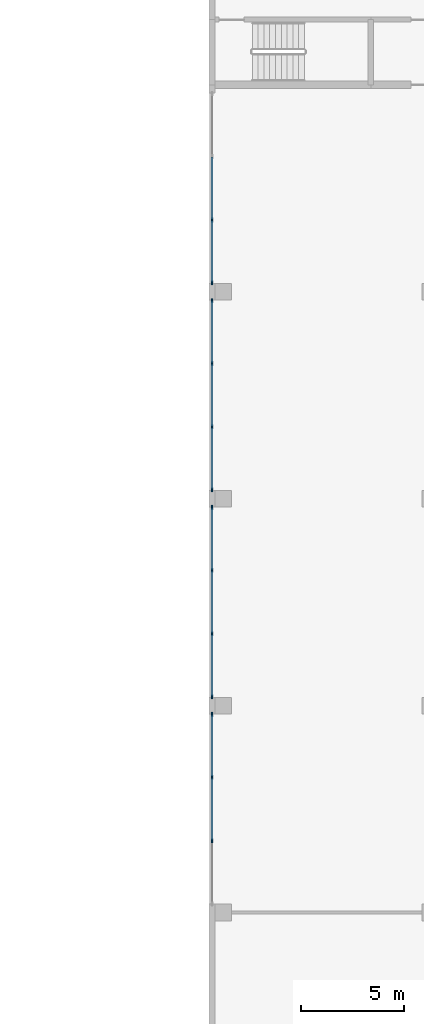
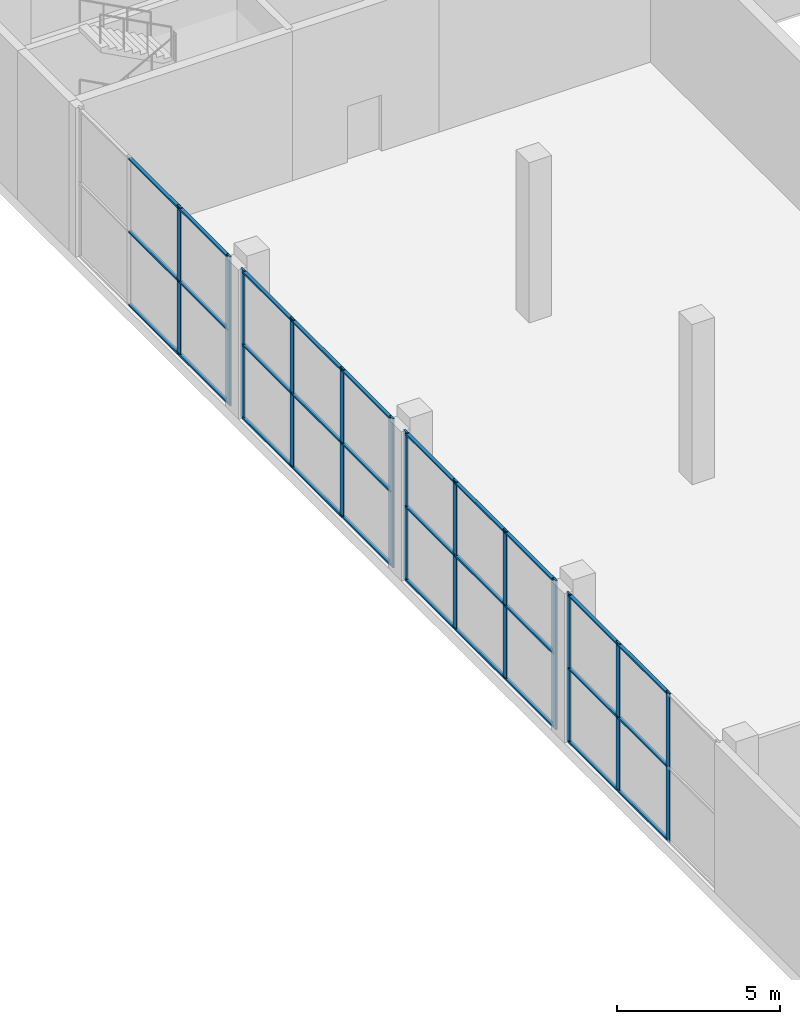
# One storey, part 11 of 51: 43 members, 4 elements without a shape of their own.
"""IFC4 building model written with IfcOpenShell, lengths in metres."""

from ifc_helpers import new_model, si_unit, direction, frame, origin, origin_2d, place, context, subcontext, project, spatial, rectangle, extrude, material, material_profile, profile_set, type_object, element, aggregate, save


model = new_model("IFC4")

# Units and contexts
model_context = context("Model", 3, precision=1e-05, world=origin(), true_north=direction((0.0, 1.0)))
body_context = subcontext(model_context, "Body", "Model", "MODEL_VIEW")
ifc_project = project(units=[si_unit("LENGTHUNIT", "METRE"), si_unit("AREAUNIT", "SQUARE_METRE"), si_unit("VOLUMEUNIT", "CUBIC_METRE"), si_unit("PLANEANGLEUNIT", "RADIAN"), si_unit("MASSUNIT", "GRAM", prefix="KILO")], contexts=[model_context])

# Site, building, storey
site_placement = place(None, origin())
site = spatial("IfcSite", under=ifc_project, at=site_placement, CompositionType="ELEMENT")
building_placement = place(site_placement, origin())
building = spatial("IfcBuilding", under=site, at=building_placement, Name="Jabali Bay Hotel Tower and Convention Centre", CompositionType="ELEMENT")
storey_placement = place(building_placement, frame((0.0, 0.0, 9.0)))
storey = spatial("IfcBuildingStorey", under=building, at=storey_placement, Name="L01", CompositionType="ELEMENT", Elevation=9.0)

# Curtain wall, members
ifc_material_1 = material(Name="Aluminium 6063-T5 and glass", Category="aluminium")
curtain_wall_type = type_object("IfcCurtainWallType", Name="CC CW4 Unitised Curtain Wall", PredefinedType="NOTDEFINED", material=ifc_material_1)
curtain_wall_1_placement = place(storey_placement, origin())
curtain_wall_1 = element("IfcCurtainWall", 1, at=curtain_wall_1_placement, inside=storey, type_object=curtain_wall_type, Name="CC CW4 run 1", PredefinedType="NOTDEFINED")
ifc_material_2 = material(Name="Aluminium 6063-T5", Category="aluminium")
ifc_material_profile_1 = material_profile(ifc_material_2, rectangle(XDim=0.06005859375, YDim=0.199951171875, at=origin_2d()), Name="AL 60x200")
ifc_profile_set_1 = profile_set([ifc_material_profile_1], Name="Aluminium 6063-T5")
member_type_1 = type_object("IfcMemberType", Name="CC Curtain Wall Mullion 60x200", PredefinedType="MULLION", material=ifc_profile_set_1)
member_1_placement = place(storey_placement, frame((150.14990234375, 63.466552734375, 0.0), z_axis=(0.0, 0.0, 1.0), x_axis=(-1.0, 0.0, 0.0)))
member_1 = element("IfcMember", 2, at=member_1_placement, type_object=member_type_1, Name="CC-CW4 mullion 2", PredefinedType="MULLION", context=body_context, shape_type="SweptSolid", body=[
    extrude(rectangle(XDim=0.06005859375, YDim=0.199951171875, at=origin_2d()), origin(), (0.0, 0.0, 1.0), 5.590087890625),
])
member_2_placement = place(storey_placement, frame((150.14990234375, 66.533447265625, 0.0), z_axis=(0.0, 0.0, 1.0), x_axis=(-1.0, 0.0, 0.0)))
member_2 = element("IfcMember", 3, at=member_2_placement, type_object=member_type_1, Name="CC-CW4 mullion 3", PredefinedType="MULLION", context=body_context, shape_type="SweptSolid", body=[
    extrude(rectangle(XDim=0.06005859375, YDim=0.199951171875, at=origin_2d()), origin(), (0.0, 0.0, 1.0), 5.590087890625),
])
member_3_placement = place(storey_placement, frame((150.14990234375, 69.570068359375, 0.0), z_axis=(0.0, 0.0, 1.0), x_axis=(-1.0, 0.0, 0.0)))
member_3 = element("IfcMember", 4, at=member_3_placement, type_object=member_type_1, Name="CC-CW4 mullion 4", PredefinedType="MULLION", context=body_context, shape_type="SweptSolid", body=[
    extrude(rectangle(XDim=0.06005859375, YDim=0.199951171875, at=origin_2d()), origin(), (0.0, 0.0, 1.0), 5.590087890625),
])

curtain_wall_2_placement = place(storey_placement, origin())
curtain_wall_2 = element("IfcCurtainWall", 5, at=curtain_wall_2_placement, inside=storey, type_object=curtain_wall_type, Name="CC CW4 run 2", PredefinedType="NOTDEFINED")
member_4_placement = place(storey_placement, frame((150.14990234375, 70.429931640625, 0.0), z_axis=(0.0, 0.0, 1.0), x_axis=(-1.0, 0.0, 0.0)))
member_4 = element("IfcMember", 6, at=member_4_placement, type_object=member_type_1, Name="CC-CW4 mullion 1", PredefinedType="MULLION", context=body_context, shape_type="SweptSolid", body=[
    extrude(rectangle(XDim=0.06005859375, YDim=0.199951171875, at=origin_2d()), origin(), (0.0, 0.0, 1.0), 5.590087890625),
])
member_5_placement = place(storey_placement, frame((150.14990234375, 73.466552734375, 0.0), z_axis=(0.0, 0.0, 1.0), x_axis=(-1.0, 0.0, 0.0)))
member_5 = element("IfcMember", 7, at=member_5_placement, type_object=member_type_1, Name="CC-CW4 mullion 2", PredefinedType="MULLION", context=body_context, shape_type="SweptSolid", body=[
    extrude(rectangle(XDim=0.06005859375, YDim=0.199951171875, at=origin_2d()), origin(), (0.0, 0.0, 1.0), 5.590087890625),
])
member_6_placement = place(storey_placement, frame((150.14990234375, 76.533447265625, 0.0), z_axis=(0.0, 0.0, 1.0), x_axis=(-1.0, 0.0, 0.0)))
member_6 = element("IfcMember", 8, at=member_6_placement, type_object=member_type_1, Name="CC-CW4 mullion 3", PredefinedType="MULLION", context=body_context, shape_type="SweptSolid", body=[
    extrude(rectangle(XDim=0.06005859375, YDim=0.199951171875, at=origin_2d()), origin(), (0.0, 0.0, 1.0), 5.590087890625),
])
member_7_placement = place(storey_placement, frame((150.14990234375, 79.570068359375, 0.0), z_axis=(0.0, 0.0, 1.0), x_axis=(-1.0, 0.0, 0.0)))
member_7 = element("IfcMember", 9, at=member_7_placement, type_object=member_type_1, Name="CC-CW4 mullion 4", PredefinedType="MULLION", context=body_context, shape_type="SweptSolid", body=[
    extrude(rectangle(XDim=0.06005859375, YDim=0.199951171875, at=origin_2d()), origin(), (0.0, 0.0, 1.0), 5.590087890625),
])

curtain_wall_3_placement = place(storey_placement, origin())
curtain_wall_3 = element("IfcCurtainWall", 10, at=curtain_wall_3_placement, inside=storey, type_object=curtain_wall_type, Name="CC CW4 run 3", PredefinedType="NOTDEFINED")
member_8_placement = place(storey_placement, frame((150.14990234375, 80.429931640625, 0.0), z_axis=(0.0, 0.0, 1.0), x_axis=(-1.0, 0.0, 0.0)))
member_8 = element("IfcMember", 11, at=member_8_placement, type_object=member_type_1, Name="CC-CW4 mullion 1", PredefinedType="MULLION", context=body_context, shape_type="SweptSolid", body=[
    extrude(rectangle(XDim=0.06005859375, YDim=0.199951171875, at=origin_2d()), origin(), (0.0, 0.0, 1.0), 5.590087890625),
])
member_9_placement = place(storey_placement, frame((150.14990234375, 83.466552734375, 0.0), z_axis=(0.0, 0.0, 1.0), x_axis=(-1.0, 0.0, 0.0)))
member_9 = element("IfcMember", 12, at=member_9_placement, type_object=member_type_1, Name="CC-CW4 mullion 2", PredefinedType="MULLION", context=body_context, shape_type="SweptSolid", body=[
    extrude(rectangle(XDim=0.06005859375, YDim=0.199951171875, at=origin_2d()), origin(), (0.0, 0.0, 1.0), 5.590087890625),
])
member_10_placement = place(storey_placement, frame((150.14990234375, 86.533447265625, 0.0), z_axis=(0.0, 0.0, 1.0), x_axis=(-1.0, 0.0, 0.0)))
member_10 = element("IfcMember", 13, at=member_10_placement, type_object=member_type_1, Name="CC-CW4 mullion 3", PredefinedType="MULLION", context=body_context, shape_type="SweptSolid", body=[
    extrude(rectangle(XDim=0.06005859375, YDim=0.199951171875, at=origin_2d()), origin(), (0.0, 0.0, 1.0), 5.590087890625),
])
member_11_placement = place(storey_placement, frame((150.14990234375, 89.570068359375, 0.0), z_axis=(0.0, 0.0, 1.0), x_axis=(-1.0, 0.0, 0.0)))
member_11 = element("IfcMember", 14, at=member_11_placement, type_object=member_type_1, Name="CC-CW4 mullion 4", PredefinedType="MULLION", context=body_context, shape_type="SweptSolid", body=[
    extrude(rectangle(XDim=0.06005859375, YDim=0.199951171875, at=origin_2d()), origin(), (0.0, 0.0, 1.0), 5.590087890625),
])

curtain_wall_4_placement = place(storey_placement, origin())
curtain_wall_4 = element("IfcCurtainWall", 15, at=curtain_wall_4_placement, inside=storey, type_object=curtain_wall_type, Name="CC CW4 run 4", PredefinedType="NOTDEFINED")
member_12_placement = place(storey_placement, frame((150.14990234375, 90.429931640625, 0.0), z_axis=(0.0, 0.0, 1.0), x_axis=(-1.0, 0.0, 0.0)))
member_12 = element("IfcMember", 16, at=member_12_placement, type_object=member_type_1, Name="CC-CW4 mullion 1", PredefinedType="MULLION", context=body_context, shape_type="SweptSolid", body=[
    extrude(rectangle(XDim=0.06005859375, YDim=0.199951171875, at=origin_2d()), origin(), (0.0, 0.0, 1.0), 5.590087890625),
])
member_13_placement = place(storey_placement, frame((150.14990234375, 93.466552734375, 0.0), z_axis=(0.0, 0.0, 1.0), x_axis=(-1.0, 0.0, 0.0)))
member_13 = element("IfcMember", 17, at=member_13_placement, type_object=member_type_1, Name="CC-CW4 mullion 2", PredefinedType="MULLION", context=body_context, shape_type="SweptSolid", body=[
    extrude(rectangle(XDim=0.06005859375, YDim=0.199951171875, at=origin_2d()), origin(), (0.0, 0.0, 1.0), 5.590087890625),
])

# Member
ifc_material_profile_2 = material_profile(ifc_material_2, rectangle(XDim=0.1201171875, YDim=0.06005859375, at=origin_2d()), Name="AL 120x60")
ifc_profile_set_2 = profile_set([ifc_material_profile_2], Name="Aluminium 6063-T5")
member_type_2 = type_object("IfcMemberType", Name="CC Curtain Wall Transom 60x120", PredefinedType="USERDEFINED", material=ifc_profile_set_2)
member_14_placement = place(storey_placement, frame((150.14990234375, 63.49658203125, 0.06005859375), z_axis=(0.0, 1.0, 0.0), x_axis=(-1.0, 0.0, 0.0)))
member_14 = element("IfcMember", 18, at=member_14_placement, type_object=member_type_2, Name="CC-CW4 transom 2.1", ObjectType="TRANSOM", PredefinedType="USERDEFINED", context=body_context, shape_type="SweptSolid", body=[
    extrude(rectangle(XDim=0.1201171875, YDim=0.06005859375, at=origin_2d()), origin(), (0.0, 0.0, 1.0), 3.0068359375),
])

member_15_placement = place(storey_placement, frame((150.14990234375, 63.49658203125, 2.800048828125), z_axis=(0.0, 1.0, 0.0), x_axis=(-1.0, 0.0, 0.0)))
member_15 = element("IfcMember", 19, at=member_15_placement, type_object=member_type_2, Name="CC-CW4 transom 2.2", ObjectType="TRANSOM", PredefinedType="USERDEFINED", context=body_context, shape_type="SweptSolid", body=[
    extrude(rectangle(XDim=0.1201171875, YDim=0.06005859375, at=origin_2d()), origin(), (0.0, 0.0, 1.0), 3.0068359375),
])

member_16_placement = place(storey_placement, frame((150.14990234375, 63.49658203125, 5.530029296875), z_axis=(0.0, 1.0, 0.0), x_axis=(-1.0, 0.0, 0.0)))
member_16 = element("IfcMember", 20, at=member_16_placement, type_object=member_type_2, Name="CC-CW4 transom 2.3", ObjectType="TRANSOM", PredefinedType="USERDEFINED", context=body_context, shape_type="SweptSolid", body=[
    extrude(rectangle(XDim=0.1201171875, YDim=0.06005859375, at=origin_2d()), origin(), (0.0, 0.0, 1.0), 3.0068359375),
])

member_17_placement = place(storey_placement, frame((150.14990234375, 66.563232421875, 0.06005859375), z_axis=(0.0, 1.0, 0.0), x_axis=(-1.0, 0.0, 0.0)))
member_17 = element("IfcMember", 21, at=member_17_placement, type_object=member_type_2, Name="CC-CW4 transom 3.1", ObjectType="TRANSOM", PredefinedType="USERDEFINED", context=body_context, shape_type="SweptSolid", body=[
    extrude(rectangle(XDim=0.1201171875, YDim=0.06005859375, at=origin_2d()), origin(), (0.0, 0.0, 1.0), 2.976806640625),
])

member_18_placement = place(storey_placement, frame((150.14990234375, 66.563232421875, 2.800048828125), z_axis=(0.0, 1.0, 0.0), x_axis=(-1.0, 0.0, 0.0)))
member_18 = element("IfcMember", 22, at=member_18_placement, type_object=member_type_2, Name="CC-CW4 transom 3.2", ObjectType="TRANSOM", PredefinedType="USERDEFINED", context=body_context, shape_type="SweptSolid", body=[
    extrude(rectangle(XDim=0.1201171875, YDim=0.06005859375, at=origin_2d()), origin(), (0.0, 0.0, 1.0), 2.976806640625),
])

member_19_placement = place(storey_placement, frame((150.14990234375, 66.563232421875, 5.530029296875), z_axis=(0.0, 1.0, 0.0), x_axis=(-1.0, 0.0, 0.0)))
member_19 = element("IfcMember", 23, at=member_19_placement, type_object=member_type_2, Name="CC-CW4 transom 3.3", ObjectType="TRANSOM", PredefinedType="USERDEFINED", context=body_context, shape_type="SweptSolid", body=[
    extrude(rectangle(XDim=0.1201171875, YDim=0.06005859375, at=origin_2d()), origin(), (0.0, 0.0, 1.0), 2.976806640625),
])

aggregate(curtain_wall_1, [member_1, member_2, member_3, member_14, member_15, member_16, member_17, member_18, member_19])

member_20_placement = place(storey_placement, frame((150.14990234375, 70.4599609375, 0.06005859375), z_axis=(0.0, 1.0, 0.0), x_axis=(-1.0, 0.0, 0.0)))
member_20 = element("IfcMember", 24, at=member_20_placement, type_object=member_type_2, Name="CC-CW4 transom 1.1", ObjectType="TRANSOM", PredefinedType="USERDEFINED", context=body_context, shape_type="SweptSolid", body=[
    extrude(rectangle(XDim=0.1201171875, YDim=0.06005859375, at=origin_2d()), origin(), (0.0, 0.0, 1.0), 2.976806640625),
])

member_21_placement = place(storey_placement, frame((150.14990234375, 70.4599609375, 2.800048828125), z_axis=(0.0, 1.0, 0.0), x_axis=(-1.0, 0.0, 0.0)))
member_21 = element("IfcMember", 25, at=member_21_placement, type_object=member_type_2, Name="CC-CW4 transom 1.2", ObjectType="TRANSOM", PredefinedType="USERDEFINED", context=body_context, shape_type="SweptSolid", body=[
    extrude(rectangle(XDim=0.1201171875, YDim=0.06005859375, at=origin_2d()), origin(), (0.0, 0.0, 1.0), 2.976806640625),
])

member_22_placement = place(storey_placement, frame((150.14990234375, 70.4599609375, 5.530029296875), z_axis=(0.0, 1.0, 0.0), x_axis=(-1.0, 0.0, 0.0)))
member_22 = element("IfcMember", 26, at=member_22_placement, type_object=member_type_2, Name="CC-CW4 transom 1.3", ObjectType="TRANSOM", PredefinedType="USERDEFINED", context=body_context, shape_type="SweptSolid", body=[
    extrude(rectangle(XDim=0.1201171875, YDim=0.06005859375, at=origin_2d()), origin(), (0.0, 0.0, 1.0), 2.976806640625),
])

member_23_placement = place(storey_placement, frame((150.14990234375, 73.49658203125, 0.06005859375), z_axis=(0.0, 1.0, 0.0), x_axis=(-1.0, 0.0, 0.0)))
member_23 = element("IfcMember", 27, at=member_23_placement, type_object=member_type_2, Name="CC-CW4 transom 2.1", ObjectType="TRANSOM", PredefinedType="USERDEFINED", context=body_context, shape_type="SweptSolid", body=[
    extrude(rectangle(XDim=0.1201171875, YDim=0.06005859375, at=origin_2d()), origin(), (0.0, 0.0, 1.0), 3.0068359375),
])

member_24_placement = place(storey_placement, frame((150.14990234375, 73.49658203125, 2.800048828125), z_axis=(0.0, 1.0, 0.0), x_axis=(-1.0, 0.0, 0.0)))
member_24 = element("IfcMember", 28, at=member_24_placement, type_object=member_type_2, Name="CC-CW4 transom 2.2", ObjectType="TRANSOM", PredefinedType="USERDEFINED", context=body_context, shape_type="SweptSolid", body=[
    extrude(rectangle(XDim=0.1201171875, YDim=0.06005859375, at=origin_2d()), origin(), (0.0, 0.0, 1.0), 3.0068359375),
])

member_25_placement = place(storey_placement, frame((150.14990234375, 73.49658203125, 5.530029296875), z_axis=(0.0, 1.0, 0.0), x_axis=(-1.0, 0.0, 0.0)))
member_25 = element("IfcMember", 29, at=member_25_placement, type_object=member_type_2, Name="CC-CW4 transom 2.3", ObjectType="TRANSOM", PredefinedType="USERDEFINED", context=body_context, shape_type="SweptSolid", body=[
    extrude(rectangle(XDim=0.1201171875, YDim=0.06005859375, at=origin_2d()), origin(), (0.0, 0.0, 1.0), 3.0068359375),
])

member_26_placement = place(storey_placement, frame((150.14990234375, 76.563232421875, 0.06005859375), z_axis=(0.0, 1.0, 0.0), x_axis=(-1.0, 0.0, 0.0)))
member_26 = element("IfcMember", 30, at=member_26_placement, type_object=member_type_2, Name="CC-CW4 transom 3.1", ObjectType="TRANSOM", PredefinedType="USERDEFINED", context=body_context, shape_type="SweptSolid", body=[
    extrude(rectangle(XDim=0.1201171875, YDim=0.06005859375, at=origin_2d()), origin(), (0.0, 0.0, 1.0), 2.976806640625),
])

member_27_placement = place(storey_placement, frame((150.14990234375, 76.563232421875, 2.800048828125), z_axis=(0.0, 1.0, 0.0), x_axis=(-1.0, 0.0, 0.0)))
member_27 = element("IfcMember", 31, at=member_27_placement, type_object=member_type_2, Name="CC-CW4 transom 3.2", ObjectType="TRANSOM", PredefinedType="USERDEFINED", context=body_context, shape_type="SweptSolid", body=[
    extrude(rectangle(XDim=0.1201171875, YDim=0.06005859375, at=origin_2d()), origin(), (0.0, 0.0, 1.0), 2.976806640625),
])

member_28_placement = place(storey_placement, frame((150.14990234375, 76.563232421875, 5.530029296875), z_axis=(0.0, 1.0, 0.0), x_axis=(-1.0, 0.0, 0.0)))
member_28 = element("IfcMember", 32, at=member_28_placement, type_object=member_type_2, Name="CC-CW4 transom 3.3", ObjectType="TRANSOM", PredefinedType="USERDEFINED", context=body_context, shape_type="SweptSolid", body=[
    extrude(rectangle(XDim=0.1201171875, YDim=0.06005859375, at=origin_2d()), origin(), (0.0, 0.0, 1.0), 2.976806640625),
])

aggregate(curtain_wall_2, [member_4, member_5, member_6, member_7, member_20, member_21, member_22, member_23, member_24, member_25, member_26, member_27, member_28])

member_29_placement = place(storey_placement, frame((150.14990234375, 80.4599609375, 0.06005859375), z_axis=(0.0, 1.0, 0.0), x_axis=(-1.0, 0.0, 0.0)))
member_29 = element("IfcMember", 33, at=member_29_placement, type_object=member_type_2, Name="CC-CW4 transom 1.1", ObjectType="TRANSOM", PredefinedType="USERDEFINED", context=body_context, shape_type="SweptSolid", body=[
    extrude(rectangle(XDim=0.1201171875, YDim=0.06005859375, at=origin_2d()), origin(), (0.0, 0.0, 1.0), 2.976806640625),
])

member_30_placement = place(storey_placement, frame((150.14990234375, 80.4599609375, 2.800048828125), z_axis=(0.0, 1.0, 0.0), x_axis=(-1.0, 0.0, 0.0)))
member_30 = element("IfcMember", 34, at=member_30_placement, type_object=member_type_2, Name="CC-CW4 transom 1.2", ObjectType="TRANSOM", PredefinedType="USERDEFINED", context=body_context, shape_type="SweptSolid", body=[
    extrude(rectangle(XDim=0.1201171875, YDim=0.06005859375, at=origin_2d()), origin(), (0.0, 0.0, 1.0), 2.976806640625),
])

member_31_placement = place(storey_placement, frame((150.14990234375, 80.4599609375, 5.530029296875), z_axis=(0.0, 1.0, 0.0), x_axis=(-1.0, 0.0, 0.0)))
member_31 = element("IfcMember", 35, at=member_31_placement, type_object=member_type_2, Name="CC-CW4 transom 1.3", ObjectType="TRANSOM", PredefinedType="USERDEFINED", context=body_context, shape_type="SweptSolid", body=[
    extrude(rectangle(XDim=0.1201171875, YDim=0.06005859375, at=origin_2d()), origin(), (0.0, 0.0, 1.0), 2.976806640625),
])

member_32_placement = place(storey_placement, frame((150.14990234375, 83.49658203125, 0.06005859375), z_axis=(0.0, 1.0, 0.0), x_axis=(-1.0, 0.0, 0.0)))
member_32 = element("IfcMember", 36, at=member_32_placement, type_object=member_type_2, Name="CC-CW4 transom 2.1", ObjectType="TRANSOM", PredefinedType="USERDEFINED", context=body_context, shape_type="SweptSolid", body=[
    extrude(rectangle(XDim=0.1201171875, YDim=0.06005859375, at=origin_2d()), origin(), (0.0, 0.0, 1.0), 3.0068359375),
])

member_33_placement = place(storey_placement, frame((150.14990234375, 83.49658203125, 2.800048828125), z_axis=(0.0, 1.0, 0.0), x_axis=(-1.0, 0.0, 0.0)))
member_33 = element("IfcMember", 37, at=member_33_placement, type_object=member_type_2, Name="CC-CW4 transom 2.2", ObjectType="TRANSOM", PredefinedType="USERDEFINED", context=body_context, shape_type="SweptSolid", body=[
    extrude(rectangle(XDim=0.1201171875, YDim=0.06005859375, at=origin_2d()), origin(), (0.0, 0.0, 1.0), 3.0068359375),
])

member_34_placement = place(storey_placement, frame((150.14990234375, 83.49658203125, 5.530029296875), z_axis=(0.0, 1.0, 0.0), x_axis=(-1.0, 0.0, 0.0)))
member_34 = element("IfcMember", 38, at=member_34_placement, type_object=member_type_2, Name="CC-CW4 transom 2.3", ObjectType="TRANSOM", PredefinedType="USERDEFINED", context=body_context, shape_type="SweptSolid", body=[
    extrude(rectangle(XDim=0.1201171875, YDim=0.06005859375, at=origin_2d()), origin(), (0.0, 0.0, 1.0), 3.0068359375),
])

member_35_placement = place(storey_placement, frame((150.14990234375, 86.563232421875, 0.06005859375), z_axis=(0.0, 1.0, 0.0), x_axis=(-1.0, 0.0, 0.0)))
member_35 = element("IfcMember", 39, at=member_35_placement, type_object=member_type_2, Name="CC-CW4 transom 3.1", ObjectType="TRANSOM", PredefinedType="USERDEFINED", context=body_context, shape_type="SweptSolid", body=[
    extrude(rectangle(XDim=0.1201171875, YDim=0.06005859375, at=origin_2d()), origin(), (0.0, 0.0, 1.0), 2.976806640625),
])

member_36_placement = place(storey_placement, frame((150.14990234375, 86.563232421875, 2.800048828125), z_axis=(0.0, 1.0, 0.0), x_axis=(-1.0, 0.0, 0.0)))
member_36 = element("IfcMember", 40, at=member_36_placement, type_object=member_type_2, Name="CC-CW4 transom 3.2", ObjectType="TRANSOM", PredefinedType="USERDEFINED", context=body_context, shape_type="SweptSolid", body=[
    extrude(rectangle(XDim=0.1201171875, YDim=0.06005859375, at=origin_2d()), origin(), (0.0, 0.0, 1.0), 2.976806640625),
])

member_37_placement = place(storey_placement, frame((150.14990234375, 86.563232421875, 5.530029296875), z_axis=(0.0, 1.0, 0.0), x_axis=(-1.0, 0.0, 0.0)))
member_37 = element("IfcMember", 41, at=member_37_placement, type_object=member_type_2, Name="CC-CW4 transom 3.3", ObjectType="TRANSOM", PredefinedType="USERDEFINED", context=body_context, shape_type="SweptSolid", body=[
    extrude(rectangle(XDim=0.1201171875, YDim=0.06005859375, at=origin_2d()), origin(), (0.0, 0.0, 1.0), 2.976806640625),
])

aggregate(curtain_wall_3, [member_8, member_9, member_10, member_11, member_29, member_30, member_31, member_32, member_33, member_34, member_35, member_36, member_37])

member_38_placement = place(storey_placement, frame((150.14990234375, 90.4599609375, 0.06005859375), z_axis=(0.0, 1.0, 0.0), x_axis=(-1.0, 0.0, 0.0)))
member_38 = element("IfcMember", 42, at=member_38_placement, type_object=member_type_2, Name="CC-CW4 transom 1.1", ObjectType="TRANSOM", PredefinedType="USERDEFINED", context=body_context, shape_type="SweptSolid", body=[
    extrude(rectangle(XDim=0.1201171875, YDim=0.06005859375, at=origin_2d()), origin(), (0.0, 0.0, 1.0), 2.976806640625),
])

member_39_placement = place(storey_placement, frame((150.14990234375, 90.4599609375, 2.800048828125), z_axis=(0.0, 1.0, 0.0), x_axis=(-1.0, 0.0, 0.0)))
member_39 = element("IfcMember", 43, at=member_39_placement, type_object=member_type_2, Name="CC-CW4 transom 1.2", ObjectType="TRANSOM", PredefinedType="USERDEFINED", context=body_context, shape_type="SweptSolid", body=[
    extrude(rectangle(XDim=0.1201171875, YDim=0.06005859375, at=origin_2d()), origin(), (0.0, 0.0, 1.0), 2.976806640625),
])

member_40_placement = place(storey_placement, frame((150.14990234375, 90.4599609375, 5.530029296875), z_axis=(0.0, 1.0, 0.0), x_axis=(-1.0, 0.0, 0.0)))
member_40 = element("IfcMember", 44, at=member_40_placement, type_object=member_type_2, Name="CC-CW4 transom 1.3", ObjectType="TRANSOM", PredefinedType="USERDEFINED", context=body_context, shape_type="SweptSolid", body=[
    extrude(rectangle(XDim=0.1201171875, YDim=0.06005859375, at=origin_2d()), origin(), (0.0, 0.0, 1.0), 2.976806640625),
])

member_41_placement = place(storey_placement, frame((150.14990234375, 93.49658203125, 0.06005859375), z_axis=(0.0, 1.0, 0.0), x_axis=(-1.0, 0.0, 0.0)))
member_41 = element("IfcMember", 45, at=member_41_placement, type_object=member_type_2, Name="CC-CW4 transom 2.1", ObjectType="TRANSOM", PredefinedType="USERDEFINED", context=body_context, shape_type="SweptSolid", body=[
    extrude(rectangle(XDim=0.1201171875, YDim=0.06005859375, at=origin_2d()), origin(), (0.0, 0.0, 1.0), 3.0068359375),
])

member_42_placement = place(storey_placement, frame((150.14990234375, 93.49658203125, 2.800048828125), z_axis=(0.0, 1.0, 0.0), x_axis=(-1.0, 0.0, 0.0)))
member_42 = element("IfcMember", 46, at=member_42_placement, type_object=member_type_2, Name="CC-CW4 transom 2.2", ObjectType="TRANSOM", PredefinedType="USERDEFINED", context=body_context, shape_type="SweptSolid", body=[
    extrude(rectangle(XDim=0.1201171875, YDim=0.06005859375, at=origin_2d()), origin(), (0.0, 0.0, 1.0), 3.0068359375),
])

member_43_placement = place(storey_placement, frame((150.14990234375, 93.49658203125, 5.530029296875), z_axis=(0.0, 1.0, 0.0), x_axis=(-1.0, 0.0, 0.0)))
member_43 = element("IfcMember", 47, at=member_43_placement, type_object=member_type_2, Name="CC-CW4 transom 2.3", ObjectType="TRANSOM", PredefinedType="USERDEFINED", context=body_context, shape_type="SweptSolid", body=[
    extrude(rectangle(XDim=0.1201171875, YDim=0.06005859375, at=origin_2d()), origin(), (0.0, 0.0, 1.0), 3.0068359375),
])

aggregate(curtain_wall_4, [member_12, member_13, member_38, member_39, member_40, member_41, member_42, member_43])

save(model, "model.ifc")
